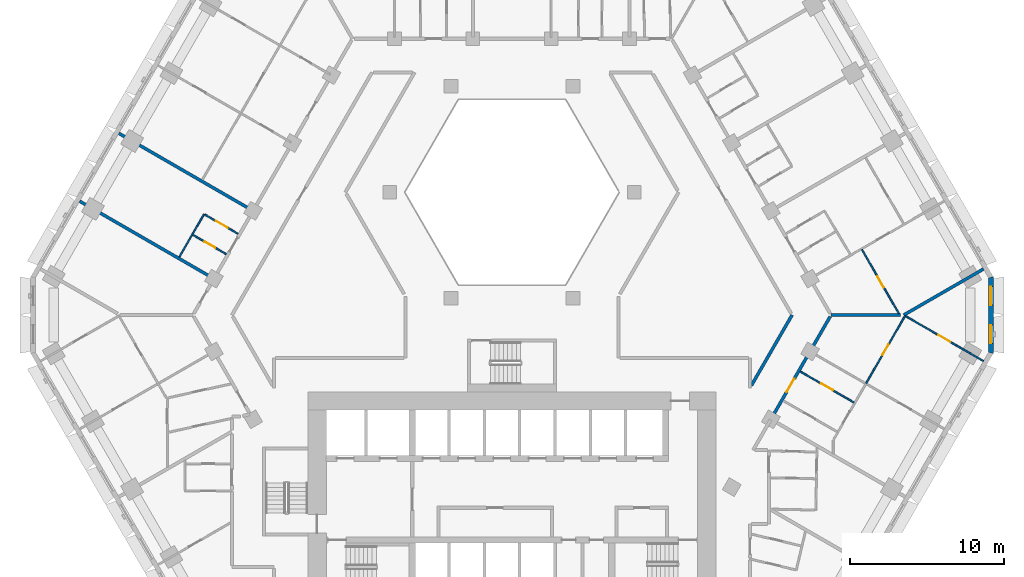
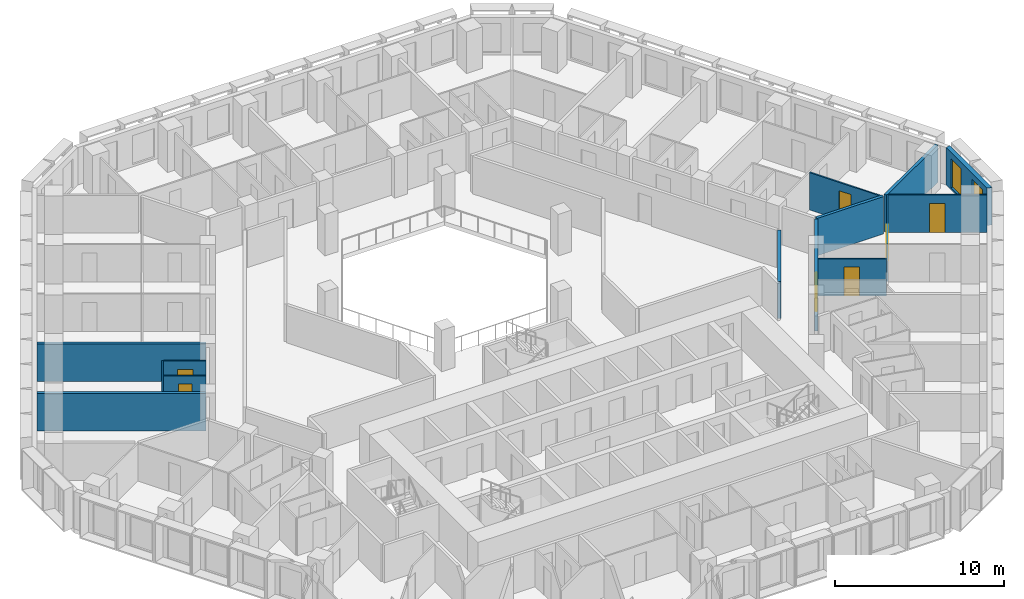
# One storey, part 8 of 21: 14 walls, 7 doors, 2 windows, 9 openings.
"""IFC4 building model written with IfcOpenShell, lengths in metres."""

from ifc_helpers import new_model, si_unit, direction, frame, frame_2d, origin, place, context, subcontext, project, spatial, polyline, rectangle, outline, extrude, material, layer, layer_set, type_object, element, fill, save


model = new_model("IFC4")

# Units and contexts
model_context = context("Model", 3, precision=1e-05, world=origin(), true_north=direction((0.0, 1.0)))
body_context = subcontext(model_context, "Body", "Model", "MODEL_VIEW")
ifc_project = project(units=[si_unit("LENGTHUNIT", "METRE"), si_unit("AREAUNIT", "SQUARE_METRE"), si_unit("VOLUMEUNIT", "CUBIC_METRE"), si_unit("PLANEANGLEUNIT", "RADIAN"), si_unit("MASSUNIT", "GRAM", prefix="KILO")], contexts=[model_context])

# Site, building, storey
site_placement = place(None, origin())
site = spatial("IfcSite", under=ifc_project, at=site_placement, CompositionType="ELEMENT")
building_placement = place(site_placement, origin())
building = spatial("IfcBuilding", under=site, at=building_placement, Name="Beryl Residences", CompositionType="ELEMENT")
storey_placement = place(building_placement, frame((0.0, 0.0, 47.39990234375)))
storey = spatial("IfcBuildingStorey", under=building, at=storey_placement, Name="L14", CompositionType="ELEMENT", Elevation=47.39990234375)

# Wall, openings, windows
ifc_material_1 = material(Name="Composite metal panel with mineral wool insulation")
ifc_layer_1 = layer(ifc_material_1, 0.300048828125)
ifc_layer_set_1 = layer_set([ifc_layer_1], Name="ES1 pale metal composite panel wall 300 mm")
wall_type_1 = type_object("IfcWallType", Name="ES1 pale metal composite panel wall 300 mm", PredefinedType="SOLIDWALL", material=ifc_layer_set_1)
wall_1_placement = place(storey_placement, frame((31.199951171875, -2.5, 0.0), z_axis=(0.0, 0.0, 1.0), x_axis=(0.0, 1.0, 0.0)))
wall_1 = element("IfcWall", 1, at=wall_1_placement, inside=storey, type_object=wall_type_1, Name="ES1 external wall L14 SE-NE", PredefinedType="SOLIDWALL", context=body_context, shape_type="SweptSolid", body=[
    extrude(outline(polyline([(0.0, -0.14990234375), (5.0, -0.14990234375), (4.919677734375, 0.14990234375), (0.080322265625, 0.14990234375), (0.0, -0.14990234375)])), origin(), (0.0, 0.0, 1.0), 2.7001953125),
])
opening_1_placement = place(wall_1_placement, frame((0.64990234375, 0.0, 0.14990234375)))
opening_1 = element("IfcOpeningElement", 2, at=opening_1_placement, cuts=wall_1, Name="Opening W2", PredefinedType="OPENING", context=body_context, shape_type="SweptSolid", body=[
    extrude(rectangle(XDim=1.199951171875, YDim=2.10009765625, at=frame_2d((0.60009765625, 1.050048828125))), frame((0.0, 0.159912109375, 0.0), z_axis=(0.0, -1.0, 0.0), x_axis=(1.0, 0.0, 0.0)), (0.0, 0.0, 1.0), 0.320068359375),
])
opening_2_placement = place(wall_1_placement, frame((3.14990234375, 0.0, 0.14990234375)))
opening_2 = element("IfcOpeningElement", 3, at=opening_2_placement, cuts=wall_1, Name="Opening W2", PredefinedType="OPENING", context=body_context, shape_type="SweptSolid", body=[
    extrude(rectangle(XDim=1.199951171875, YDim=2.10009765625, at=frame_2d((0.60009765625, 1.050048828125))), frame((0.0, 0.159912109375, 0.0), z_axis=(0.0, -1.0, 0.0), x_axis=(1.0, 0.0, 0.0)), (0.0, 0.0, 1.0), 0.320068359375),
])
ifc_material_2 = material(Name="Aluminium and clear glass", Category="aluminium")
window_type = type_object("IfcWindowType", Name="W2 chamfer window 1200 x 2100 mm", PartitioningType="SINGLE_PANEL", PredefinedType="WINDOW", material=ifc_material_2)
window_1_placement = place(opening_1_placement, origin())
window_1 = element("IfcWindow", 4, at=window_1_placement, inside=storey, type_object=window_type, Name="W2 window L14 SE-NE 1", OverallHeight=2.10009765625, OverallWidth=1.199951171875, PartitioningType="SINGLE_PANEL", PredefinedType="WINDOW", context=body_context, shape_type="SweptSolid", body=[
    extrude(rectangle(XDim=1.199951171875, YDim=2.10009765625, at=frame_2d((0.60009765625, 1.050048828125))), frame((0.0, 0.030029296875, 0.0), z_axis=(0.0, -1.0, 0.0), x_axis=(1.0, 0.0, 0.0)), (0.0, 0.0, 1.0), 0.06005859375),
])
fill(opening_1, window_1)
window_2_placement = place(opening_2_placement, origin())
window_2 = element("IfcWindow", 5, at=window_2_placement, inside=storey, type_object=window_type, Name="W2 window L14 SE-NE 2", OverallHeight=2.10009765625, OverallWidth=1.199951171875, PartitioningType="SINGLE_PANEL", PredefinedType="WINDOW", context=body_context, shape_type="SweptSolid", body=[
    extrude(rectangle(XDim=1.199951171875, YDim=2.10009765625, at=frame_2d((0.60009765625, 1.050048828125))), frame((0.0, 0.030029296875, 0.0), z_axis=(0.0, -1.0, 0.0), x_axis=(1.0, 0.0, 0.0)), (0.0, 0.0, 1.0), 0.06005859375),
])
fill(opening_2, window_2)

# Wall, opening, door
ifc_material_3 = material(Name="Gypsum board partition on steel studs", Category="steel")
ifc_layer_2 = layer(ifc_material_3, 0.10009765625)
ifc_layer_set_2 = layer_set([ifc_layer_2], Name="PT1 partition 100 mm gypsum board on steel studs")
wall_type_2 = type_object("IfcWallType", Name="PT1 partition 100 mm gypsum board on steel studs", PredefinedType="PARTITIONING", material=ifc_layer_set_2)
wall_2_placement = place(storey_placement, frame((22.7958984375, 4.263916015625, 0.0), z_axis=(0.0, 0.0, 1.0), x_axis=(0.500099052605, -0.865968208183, 0.0)))
wall_2 = element("IfcWall", 6, at=wall_2_placement, inside=storey, type_object=wall_type_2, Name="Wall PT1 L14 005", PredefinedType="PARTITIONING", context=body_context, shape_type="SweptSolid", body=[
    extrude(rectangle(XDim=4.80712890625, YDim=0.10009765625, at=frame_2d((2.403564453125, 0.0))), origin(), (0.0, 0.0, 1.0), 2.7001953125),
])
opening_3_placement = place(wall_2_placement, frame((2.037109375, 0.0, 0.0)))
opening_3 = element("IfcOpeningElement", 7, at=opening_3_placement, cuts=wall_2, Name="Opening D0256", PredefinedType="OPENING", context=body_context, shape_type="SweptSolid", body=[
    extrude(rectangle(XDim=0.800048828125, YDim=2.10009765625, at=frame_2d((0.39990234375, 1.050048828125))), frame((0.0, 0.06005859375, 0.0), z_axis=(0.0, -1.0, 0.0), x_axis=(1.0, 0.0, 0.0)), (0.0, 0.0, 1.0), 0.1201171875),
])
ifc_material_4 = material(Name="Timber door leaf", Category="wood")
door_type_1 = type_object("IfcDoorType", Name="D3 bathroom door 800 x 2100 mm", OperationType="SINGLE_SWING_LEFT", PredefinedType="DOOR", material=ifc_material_4)
door_1_placement = place(opening_3_placement, origin())
door_1 = element("IfcDoor", 8, at=door_1_placement, inside=storey, type_object=door_type_1, Name="Door D0256 L14 001", OperationType="SINGLE_SWING_RIGHT", OverallHeight=2.10009765625, OverallWidth=0.800048828125, PredefinedType="DOOR", context=body_context, shape_type="SweptSolid", body=[
    extrude(rectangle(XDim=0.800048828125, YDim=2.10009765625, at=frame_2d((0.39990234375, 1.050048828125))), frame((0.0, 0.02490234375, 0.0), z_axis=(0.0, -1.0, 0.0), x_axis=(1.0, 0.0, 0.0)), (0.0, 0.0, 1.0), 0.050048828125),
])
fill(opening_3, door_1)

wall_3_placement = place(storey_placement, frame((-20.01708984375, 6.547119140625, 0.0), z_axis=(0.0, 0.0, 1.0), x_axis=(0.865940918122, -0.500146304917, 0.0)))
wall_3 = element("IfcWall", 9, at=wall_3_placement, inside=storey, type_object=wall_type_2, Name="Wall PT1 L14 020", PredefinedType="PARTITIONING", context=body_context, shape_type="SweptSolid", body=[
    extrude(rectangle(XDim=2.509521484375, YDim=0.10009765625, at=frame_2d((1.2548828125, 0.0))), origin(), (0.0, 0.0, 1.0), 2.7001953125),
])
opening_4_placement = place(wall_3_placement, frame((0.8291015625, 0.0, 0.0)))
opening_4 = element("IfcOpeningElement", 10, at=opening_4_placement, cuts=wall_3, Name="Opening D0208", PredefinedType="OPENING", context=body_context, shape_type="SweptSolid", body=[
    extrude(rectangle(XDim=0.89990234375, YDim=2.10009765625, at=frame_2d((0.449951171875, 1.050048828125))), frame((0.0, 0.06005859375, 0.0), z_axis=(0.0, -1.0, 0.0), x_axis=(1.0, 0.0, 0.0)), (0.0, 0.0, 1.0), 0.1201171875),
])
ifc_material_5 = material(Name="Timber door leaf", Category="wood")
door_type_2 = type_object("IfcDoorType", Name="D2 room door 900 x 2100 mm", OperationType="SINGLE_SWING_LEFT", PredefinedType="DOOR", material=ifc_material_5)
door_2_placement = place(opening_4_placement, origin())
door_2 = element("IfcDoor", 11, at=door_2_placement, inside=storey, type_object=door_type_2, Name="Door D0208 L14 001", OperationType="SINGLE_SWING_RIGHT", OverallHeight=2.10009765625, OverallWidth=0.89990234375, PredefinedType="DOOR", context=body_context, shape_type="SweptSolid", body=[
    extrude(rectangle(XDim=0.89990234375, YDim=2.10009765625, at=frame_2d((0.449951171875, 1.050048828125))), frame((0.0, 0.02490234375, 0.0), z_axis=(0.0, -1.0, 0.0), x_axis=(1.0, 0.0, 0.0)), (0.0, 0.0, 1.0), 0.050048828125),
])
fill(opening_4, door_2)

wall_4_placement = place(storey_placement, frame((-20.782958984375, 5.220947265625, 0.0), z_axis=(0.0, 0.0, 1.0), x_axis=(0.865958718457, -0.500115484592, 0.0)))
wall_4 = element("IfcWall", 12, at=wall_4_placement, inside=storey, type_object=wall_type_2, Name="Wall PT1 L14 021", PredefinedType="PARTITIONING", context=body_context, shape_type="SweptSolid", body=[
    extrude(rectangle(XDim=2.50927734375, YDim=0.10009765625, at=frame_2d((1.254638671875, 0.0))), origin(), (0.0, 0.0, 1.0), 2.7001953125),
])
opening_5_placement = place(wall_4_placement, frame((0.8798828125, 0.0, 0.0)))
opening_5 = element("IfcOpeningElement", 13, at=opening_5_placement, cuts=wall_4, Name="Opening D0209", PredefinedType="OPENING", context=body_context, shape_type="SweptSolid", body=[
    extrude(rectangle(XDim=0.800048828125, YDim=2.10009765625, at=frame_2d((0.39990234375, 1.050048828125))), frame((0.0, 0.06005859375, 0.0), z_axis=(0.0, -1.0, 0.0), x_axis=(1.0, 0.0, 0.0)), (0.0, 0.0, 1.0), 0.1201171875),
])
door_3_placement = place(opening_5_placement, origin())
door_3 = element("IfcDoor", 14, at=door_3_placement, inside=storey, type_object=door_type_1, Name="Door D0209 L14 001", OperationType="SINGLE_SWING_LEFT", OverallHeight=2.10009765625, OverallWidth=0.800048828125, PredefinedType="DOOR", context=body_context, shape_type="SweptSolid", body=[
    extrude(rectangle(XDim=0.800048828125, YDim=2.10009765625, at=frame_2d((0.39990234375, 1.050048828125))), frame((0.0, 0.02490234375, 0.0), z_axis=(0.0, -1.0, 0.0), x_axis=(1.0, 0.0, 0.0)), (0.0, 0.0, 1.0), 0.050048828125),
])
fill(opening_5, door_3)

wall_5_placement = place(storey_placement, frame((18.777099609375, -3.677001953125, 0.0), z_axis=(0.0, 0.0, 1.0), x_axis=(0.866000843773, -0.500042536776, 0.0)))
wall_5 = element("IfcWall", 15, at=wall_5_placement, inside=storey, type_object=wall_type_2, Name="Wall PT1 L14 023", PredefinedType="PARTITIONING", context=body_context, shape_type="SweptSolid", body=[
    extrude(rectangle(XDim=4.049560546875, YDim=0.10009765625, at=frame_2d((2.02490234375, 0.0))), origin(), (0.0, 0.0, 1.0), 2.7001953125),
])
opening_6_placement = place(wall_5_placement, frame((1.550048828125, 0.0, 0.0)))
opening_6 = element("IfcOpeningElement", 16, at=opening_6_placement, cuts=wall_5, Name="Opening D0246", PredefinedType="OPENING", context=body_context, shape_type="SweptSolid", body=[
    extrude(rectangle(XDim=0.89990234375, YDim=2.10009765625, at=frame_2d((0.449951171875, 1.050048828125))), frame((0.0, 0.06005859375, 0.0), z_axis=(0.0, -1.0, 0.0), x_axis=(1.0, 0.0, 0.0)), (0.0, 0.0, 1.0), 0.1201171875),
])
door_4_placement = place(opening_6_placement, origin())
door_4 = element("IfcDoor", 17, at=door_4_placement, inside=storey, type_object=door_type_2, Name="Door D0246 L14 001", OperationType="SINGLE_SWING_RIGHT", OverallHeight=2.10009765625, OverallWidth=0.89990234375, PredefinedType="DOOR", context=body_context, shape_type="SweptSolid", body=[
    extrude(rectangle(XDim=0.89990234375, YDim=2.10009765625, at=frame_2d((0.449951171875, 1.050048828125))), frame((0.0, 0.02490234375, 0.0), z_axis=(0.0, -1.0, 0.0), x_axis=(1.0, 0.0, 0.0)), (0.0, 0.0, 1.0), 0.050048828125),
])
fill(opening_6, door_4)

wall_6_placement = place(storey_placement, frame((25.64892578125, -0.073974609375, 0.0), z_axis=(0.0, 0.0, 1.0), x_axis=(0.866059819573, -0.499940385368, 0.0)))
wall_6 = element("IfcWall", 18, at=wall_6_placement, inside=storey, type_object=wall_type_2, Name="Wall PT1 L14 026", PredefinedType="PARTITIONING", context=body_context, shape_type="SweptSolid", body=[
    extrude(rectangle(XDim=5.850830078125, YDim=0.10009765625, at=frame_2d((2.92529296875, 0.0))), origin(), (0.0, 0.0, 1.0), 2.7001953125),
])
opening_7_placement = place(wall_6_placement, frame((2.449951171875, 0.0, 0.0)))
opening_7 = element("IfcOpeningElement", 19, at=opening_7_placement, cuts=wall_6, Name="Opening D0249", PredefinedType="OPENING", context=body_context, shape_type="SweptSolid", body=[
    extrude(rectangle(XDim=0.89990234375, YDim=2.10009765625, at=frame_2d((0.449951171875, 1.050048828125))), frame((0.0, 0.06005859375, 0.0), z_axis=(0.0, -1.0, 0.0), x_axis=(1.0, 0.0, 0.0)), (0.0, 0.0, 1.0), 0.1201171875),
])
door_5_placement = place(opening_7_placement, origin())
door_5 = element("IfcDoor", 20, at=door_5_placement, inside=storey, type_object=door_type_2, Name="Door D0249 L14 001", OperationType="SINGLE_SWING_LEFT", OverallHeight=2.10009765625, OverallWidth=0.89990234375, PredefinedType="DOOR", context=body_context, shape_type="SweptSolid", body=[
    extrude(rectangle(XDim=0.89990234375, YDim=2.10009765625, at=frame_2d((0.449951171875, 1.050048828125))), frame((0.0, 0.02490234375, 0.0), z_axis=(0.0, -1.0, 0.0), x_axis=(1.0, 0.0, 0.0)), (0.0, 0.0, 1.0), 0.050048828125),
])
fill(opening_7, door_5)

# Wall
wall_7_placement = place(storey_placement, frame((-21.6689453125, 3.787109375, 0.0), z_axis=(0.0, 0.0, 1.0), x_axis=(0.499913121084, 0.86607555754, 0.0)))
element("IfcWall", 21, at=wall_7_placement, inside=storey, type_object=wall_type_2, Name="Wall PT1 L14 042", PredefinedType="PARTITIONING", context=body_context, shape_type="SweptSolid", body=[
    extrude(rectangle(XDim=3.21435546875, YDim=0.10009765625, at=frame_2d((1.607177734375, 0.0))), origin(), (0.0, 0.0, 1.0), 2.7001953125),
])

# Wall, opening, door
wall_8_placement = place(storey_placement, frame((23.053955078125, -4.468994140625, 0.0), z_axis=(0.0, 0.0, 1.0), x_axis=(0.500023345639, 0.866011924754, 0.0)))
wall_8 = element("IfcWall", 22, at=wall_8_placement, inside=storey, type_object=wall_type_2, Name="Wall PT1 L14 077", PredefinedType="PARTITIONING", context=body_context, shape_type="SweptSolid", body=[
    extrude(rectangle(XDim=5.103759765625, YDim=0.10009765625, at=frame_2d((2.5517578125, 0.0))), origin(), (0.0, 0.0, 1.0), 2.7001953125),
])
opening_8_placement = place(wall_8_placement, frame((2.152099609375, 0.0, 0.0)))
opening_8 = element("IfcOpeningElement", 23, at=opening_8_placement, cuts=wall_8, Name="Opening D0250", PredefinedType="OPENING", context=body_context, shape_type="SweptSolid", body=[
    extrude(rectangle(XDim=0.800048828125, YDim=2.10009765625, at=frame_2d((0.39990234375, 1.050048828125))), frame((0.0, 0.06005859375, 0.0), z_axis=(0.0, -1.0, 0.0), x_axis=(1.0, 0.0, 0.0)), (0.0, 0.0, 1.0), 0.1201171875),
])
door_6_placement = place(opening_8_placement, origin())
door_6 = element("IfcDoor", 24, at=door_6_placement, inside=storey, type_object=door_type_1, Name="Door D0250 L14 001", OperationType="SINGLE_SWING_RIGHT", OverallHeight=2.10009765625, OverallWidth=0.800048828125, PredefinedType="DOOR", context=body_context, shape_type="SweptSolid", body=[
    extrude(rectangle(XDim=0.800048828125, YDim=2.10009765625, at=frame_2d((0.39990234375, 1.050048828125))), frame((0.0, 0.02490234375, 0.0), z_axis=(0.0, -1.0, 0.0), x_axis=(1.0, 0.0, 0.0)), (0.0, 0.0, 1.0), 0.050048828125),
])
fill(opening_8, door_6)

# Walls
ifc_material_6 = material(Name="Acoustic double stud gypsum board wall")
ifc_layer_3 = layer(ifc_material_6, 0.199951171875)
ifc_layer_set_3 = layer_set([ifc_layer_3], Name="PT3 party wall 200 mm acoustic double stud")
wall_type_3 = type_object("IfcWallType", Name="PT3 party wall 200 mm acoustic double stud", PredefinedType="PARTITIONING", material=ifc_layer_set_3)
for number, where, z_axis, x_axis, name in (
    (25, (-28.1630859375, 7.4189453125, 0.0), (0.0, 0.0, 1.0), (0.866022959057, -0.500004234368, 0.0), "Wall PT3 L14 007"),
    (26, (-25.611083984375, 11.839111328125, 0.0), (0.0, 0.0, 1.0), (0.866022959057, -0.500004234368, 0.0), "Wall PT3 L14 010"),
):
    element("IfcWall", number, at=place(storey_placement, frame(where, z_axis=z_axis, x_axis=x_axis)), inside=storey, type_object=wall_type_3, Name=name, PredefinedType="PARTITIONING", context=body_context, shape_type="SweptSolid", body=[
        extrude(rectangle(XDim=10.0, YDim=0.199951171875, at=frame_2d((5.0, 0.0))), origin(), (0.0, 0.0, 1.0), 2.7001953125),
    ])
wall_9_placement = place(storey_placement, frame((20.783935546875, 0.0009765625, 0.0), z_axis=(0.0, 0.0, 1.0), x_axis=(1.0, 0.0, 0.0)))
element("IfcWall", 27, at=wall_9_placement, inside=storey, type_object=wall_type_3, Name="Wall PT3 L14 015", PredefinedType="PARTITIONING", context=body_context, shape_type="SweptSolid", body=[
    extrude(rectangle(XDim=4.5361328125, YDim=0.199951171875, at=frame_2d((2.26806640625, 0.0))), origin(), (0.0, 0.0, 1.0), 2.7001953125),
])
wall_10_placement = place(storey_placement, frame((25.51904296875, 0.0009765625, 0.0), z_axis=(0.0, 0.0, 1.0), x_axis=(0.86609140076, 0.499885672459, 0.0)))
element("IfcWall", 28, at=wall_10_placement, inside=storey, type_object=wall_type_3, Name="Wall PT3 L14 025", PredefinedType="PARTITIONING", context=body_context, shape_type="SweptSolid", body=[
    extrude(rectangle(XDim=5.99951171875, YDim=0.199951171875, at=frame_2d((2.999755859375, 0.0))), origin(), (0.0, 0.0, 1.0), 2.7001953125),
])
ifc_material_7 = material(Name="Double stud gypsum board wall")
ifc_layer_4 = layer(ifc_material_7, 0.199951171875)
ifc_layer_set_4 = layer_set([ifc_layer_4], Name="PT4 corridor wall 200 mm double stud")
wall_type_4 = type_object("IfcWallType", Name="PT4 corridor wall 200 mm double stud", PredefinedType="PARTITIONING", material=ifc_layer_set_4)
wall_11_placement = place(storey_placement, frame((15.60009765625, -4.5791015625, 0.0), z_axis=(0.0, 0.0, 1.0), x_axis=(0.499927597274, 0.866067201483, 0.0)))
element("IfcWall", 29, at=wall_11_placement, inside=storey, type_object=wall_type_4, Name="Wall PT4 L14 021", PredefinedType="PARTITIONING", context=body_context, shape_type="SweptSolid", body=[
    extrude(rectangle(XDim=5.288330078125, YDim=0.199951171875, at=frame_2d((2.64404296875, 0.0))), origin(), (0.0, 0.0, 1.0), 2.7001953125),
])

# Wall, opening, door
wall_12_placement = place(storey_placement, frame((16.864013671875, -6.7890625, 0.0), z_axis=(0.0, 0.0, 1.0), x_axis=(0.500058020612, 0.865991902977, 0.0)))
wall_12 = element("IfcWall", 30, at=wall_12_placement, inside=storey, type_object=wall_type_4, Name="Wall PT4 L14 023", PredefinedType="PARTITIONING", context=body_context, shape_type="SweptSolid", body=[
    extrude(rectangle(XDim=7.72509765625, YDim=0.199951171875, at=frame_2d((3.862548828125, 0.0))), origin(), (0.0, 0.0, 1.0), 2.7001953125),
])
opening_9_placement = place(wall_12_placement, frame((2.052001953125, 0.0, 0.0)))
opening_9 = element("IfcOpeningElement", 31, at=opening_9_placement, cuts=wall_12, Name="Opening D0244", PredefinedType="OPENING", context=body_context, shape_type="SweptSolid", body=[
    extrude(rectangle(XDim=1.0, YDim=2.10009765625, at=frame_2d((0.5, 1.050048828125))), frame((0.0, 0.10986328125, 0.0), z_axis=(0.0, -1.0, 0.0), x_axis=(1.0, 0.0, 0.0)), (0.0, 0.0, 1.0), 0.219970703125),
])
ifc_material_8 = material(Name="Timber door leaf", Category="wood")
door_type_3 = type_object("IfcDoorType", Name="D1 flat entrance door 1000 x 2100 mm", OperationType="SINGLE_SWING_LEFT", PredefinedType="DOOR", material=ifc_material_8)
door_7_placement = place(opening_9_placement, origin())
door_7 = element("IfcDoor", 32, at=door_7_placement, inside=storey, type_object=door_type_3, Name="Door D0244 L14 001", OperationType="SINGLE_SWING_RIGHT", OverallHeight=2.10009765625, OverallWidth=1.0, PredefinedType="DOOR", context=body_context, shape_type="SweptSolid", body=[
    extrude(rectangle(XDim=1.0, YDim=2.10009765625, at=frame_2d((0.5, 1.050048828125))), frame((0.0, 0.02490234375, 0.0), z_axis=(0.0, -1.0, 0.0), x_axis=(1.0, 0.0, 0.0)), (0.0, 0.0, 1.0), 0.050048828125),
])
fill(opening_9, door_7)

save(model, "model.ifc")
